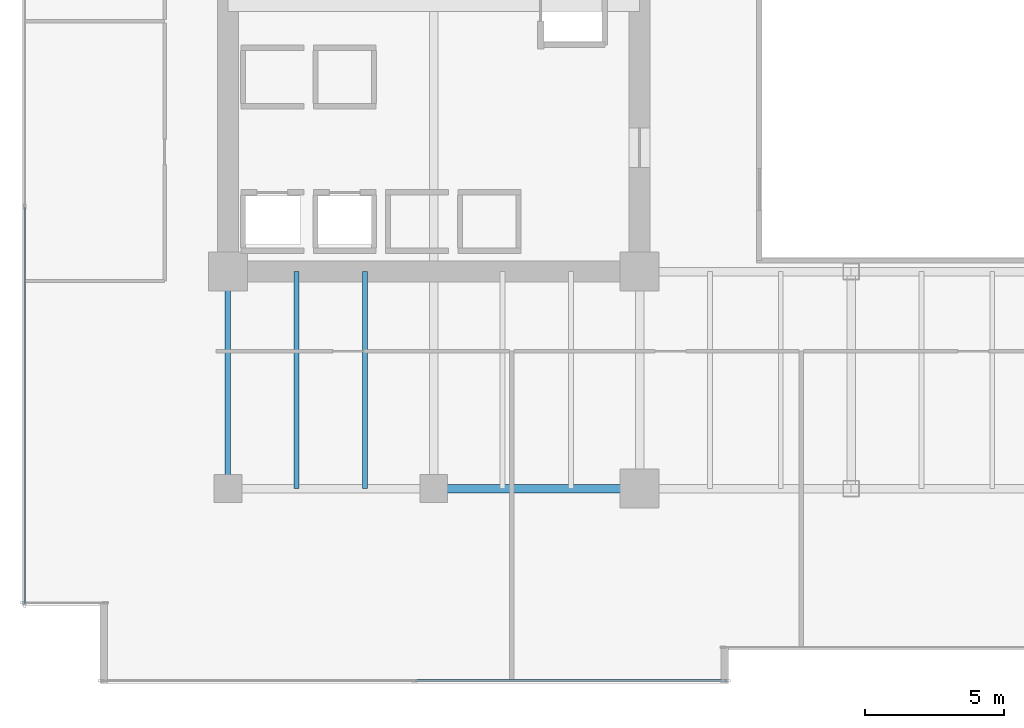
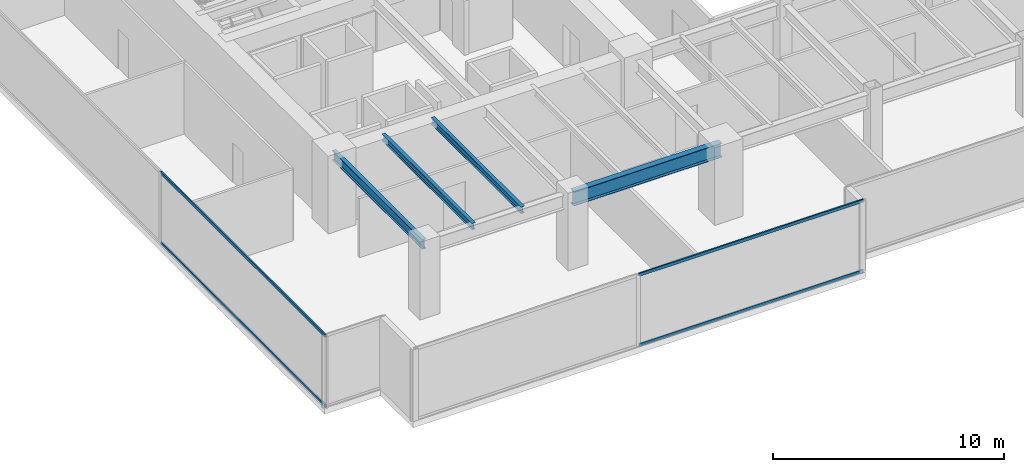
# One storey, part 3 of 35: 4 beams, 4 members, 2 elements without a shape of their own.
"""IFC4 building model written with IfcOpenShell, lengths in metres."""

from ifc_helpers import new_model, si_unit, direction, frame, origin, origin_2d, place, context, subcontext, project, spatial, hollow_rectangle, i_section, extrude, source, transform, mapped, material, layer, layer_set, material_profile, profile_set, type_object, type_shapes, element, aggregate, save


model = new_model("IFC4")

# Units and contexts
model_context = context("Model", 3, precision=1e-05, world=origin(), true_north=direction((0.0, 1.0)))
body_context = subcontext(model_context, "Body", "Model", "MODEL_VIEW")
ifc_project = project(units=[si_unit("LENGTHUNIT", "METRE"), si_unit("AREAUNIT", "SQUARE_METRE"), si_unit("VOLUMEUNIT", "CUBIC_METRE"), si_unit("PLANEANGLEUNIT", "RADIAN"), si_unit("MASSUNIT", "GRAM", prefix="KILO")], contexts=[model_context])

# Site, building, storey
site_placement = place(None, origin())
site = spatial("IfcSite", under=ifc_project, at=site_placement, CompositionType="ELEMENT")
building_placement = place(site_placement, origin())
building = spatial("IfcBuilding", under=site, at=building_placement, Name="Haelvirn Gate Laboratories", CompositionType="ELEMENT")
storey_placement = place(building_placement, frame((0.0, 0.0, 82.60009765625)))
storey = spatial("IfcBuildingStorey", under=building, at=storey_placement, Name="L20", CompositionType="ELEMENT", Elevation=82.60009765625)

# Beams
ifc_material_1 = material(Name="Steel SM355", Category="steel")
ifc_material_profile_1 = material_profile(ifc_material_1, i_section(OverallWidth=0.300048828125, OverallDepth=0.75, WebThickness=0.013916015625, FlangeThickness=0.02392578125, at=origin_2d()), Name="H-750x300x14x24")
ifc_profile_set_1 = profile_set([ifc_material_profile_1], Name="Steel SM355")
beam_type_1 = type_object("IfcBeamType", Name="BM-G-750", PredefinedType="BEAM", material=ifc_profile_set_1)
shared_shape_1 = source(origin(), body_context, "Body", "SweptSolid", [
    extrude(i_section(OverallWidth=0.300048828125, OverallDepth=0.75, WebThickness=0.013916015625, FlangeThickness=0.02392578125, at=origin_2d()), origin(), (0.0, 0.0, 1.0), 7.39990234375),
])
type_shapes(beam_type_1, [shared_shape_1])
beam_1_placement = place(storey_placement, frame((14.800048828125, 7.0, 3.40478515625), z_axis=(1.0, 0.0, 0.0), x_axis=(0.0, 1.0, 0.0)))
element("IfcBeam", 1, at=beam_1_placement, inside=storey, type_object=beam_type_1, Name="L20 Primary Girder Y7.0 (14.8-22.2)", PredefinedType="BEAM", context=body_context, shape_type="MappedRepresentation", body=[
    mapped(shared_shape_1, transform((0.0, 0.0, 0.0), scale=1.0)),
])
ifc_material_profile_2 = material_profile(ifc_material_1, i_section(OverallWidth=0.199951171875, OverallDepth=0.5, WebThickness=0.010009765625, FlangeThickness=0.01611328125, at=origin_2d()), Name="H-500x200x10x16")
ifc_profile_set_2 = profile_set([ifc_material_profile_2], Name="Steel SM355")
beam_type_2 = type_object("IfcBeamType", Name="BM-SP-500", PredefinedType="SPANDREL", material=ifc_profile_set_2)
shared_shape_2 = source(origin(), body_context, "Body", "SweptSolid", [
    extrude(i_section(OverallWidth=0.199951171875, OverallDepth=0.5, WebThickness=0.010009765625, FlangeThickness=0.01611328125, at=origin_2d()), origin(), (0.0, 0.0, 1.0), 7.800048828125),
])
type_shapes(beam_type_2, [shared_shape_2])
beam_2_placement = place(storey_placement, frame((7.39990234375, 7.0, 3.52978515625), z_axis=(0.0, 1.0, 0.0), x_axis=(-1.0, 0.0, 0.0)))
element("IfcBeam", 2, at=beam_2_placement, inside=storey, type_object=beam_type_2, Name="L20 Perimeter Spandrel X7.4 (7.0-14.8)", PredefinedType="SPANDREL", context=body_context, shape_type="MappedRepresentation", body=[
    mapped(shared_shape_2, transform((0.0, 0.0, 0.0), scale=1.0)),
])
ifc_material_profile_3 = material_profile(ifc_material_1, i_section(OverallWidth=0.175048828125, OverallDepth=0.35009765625, WebThickness=0.007080078125, FlangeThickness=0.010986328125, at=origin_2d()), Name="H-350x175x7x11")
ifc_profile_set_3 = profile_set([ifc_material_profile_3], Name="Steel SM355")
beam_type_3 = type_object("IfcBeamType", Name="BM-J-350", PredefinedType="JOIST", material=ifc_profile_set_3)
shared_shape_3 = source(origin(), body_context, "Body", "SweptSolid", [
    extrude(i_section(OverallWidth=0.175048828125, OverallDepth=0.35009765625, WebThickness=0.007080078125, FlangeThickness=0.010986328125, at=origin_2d()), origin(), (0.0, 0.0, 1.0), 7.800048828125),
])
type_shapes(beam_type_3, [shared_shape_3])
for number, where, z_axis, x_axis, name in (
    (3, (9.8701171875, 7.0, 3.60498046875), (0.0, 1.0, 0.0), (-1.0, 0.0, 0.0), "L20 Composite Lab Joist South X9.87"),
    (4, (12.330078125, 7.0, 3.60498046875), (0.0, 1.0, 0.0), (-1.0, 0.0, 0.0), "L20 Composite Lab Joist South X12.33"),
):
    element("IfcBeam", number, at=place(storey_placement, frame(where, z_axis=z_axis, x_axis=x_axis)), inside=storey, type_object=beam_type_3, Name=name, PredefinedType="JOIST", context=body_context, shape_type="MappedRepresentation", body=[
        mapped(shared_shape_3, transform((0.0, 0.0, 0.0), scale=1.0)),
    ])

# Curtain wall, members
ifc_material_2 = material(Name="Anodised bronze unitised aluminium & triple low-E glass", Category="aluminium")
ifc_layer = layer(ifc_material_2, 0.18408203125, Name="CW-SYS-2")
ifc_layer_set = layer_set([ifc_layer], Name="Anodised bronze unitised aluminium & triple low-E glass")
curtain_wall_type = type_object("IfcCurtainWallType", Name="CW-SYS-2", PredefinedType="NOTDEFINED", material=ifc_layer_set)
curtain_wall_1_placement = place(storey_placement, origin())
curtain_wall_1 = element("IfcCurtainWall", 5, at=curtain_wall_1_placement, inside=storey, type_object=curtain_wall_type, Name="L20 Unitised Curtain Wall CW-L20-P0-E00-1", PredefinedType="NOTDEFINED")
ifc_material_3 = material(Name="Extruded aluminium 6063-T6 (anodised bronze)", Category="aluminium")
ifc_material_profile_4 = material_profile(ifc_material_3, hollow_rectangle(XDim=0.070068359375, YDim=0.159912109375, WallThickness=0.0048828125, at=origin_2d()), Name="CWT-160x70x5")
ifc_profile_set_4 = profile_set([ifc_material_profile_4], Name="Extruded aluminium 6063-T6 (anodised bronze)")
member_type = type_object("IfcMemberType", Name="CWT-T160", PredefinedType="USERDEFINED", material=ifc_profile_set_4)
shared_shape_4 = source(origin(), body_context, "Body", "SweptSolid", [
    extrude(hollow_rectangle(XDim=0.070068359375, YDim=0.159912109375, WallThickness=0.0048828125, at=origin_2d()), origin(), (0.0, 0.0, 1.0), 11.1875),
])
member_1_placement = place(storey_placement, frame((14.137451171875, 0.10009765625, 0.034912109375), z_axis=(1.0, 0.0, 0.0), x_axis=(0.0, 1.0, 0.0)))
member_1 = element("IfcMember", 6, at=member_1_placement, type_object=member_type, Name="CW2 transom 2.1", ObjectType="TRANSOM", PredefinedType="USERDEFINED", context=body_context, shape_type="MappedRepresentation", body=[
    mapped(shared_shape_4, transform((0.0, 0.0, 0.0), scale=1.0)),
])
member_2_placement = place(storey_placement, frame((14.137451171875, 0.10009765625, 3.744873046875), z_axis=(1.0, 0.0, 0.0), x_axis=(0.0, 1.0, 0.0)))
member_2 = element("IfcMember", 7, at=member_2_placement, type_object=member_type, Name="CW2 transom 2.2", ObjectType="TRANSOM", PredefinedType="USERDEFINED", context=body_context, shape_type="MappedRepresentation", body=[
    mapped(shared_shape_4, transform((0.0, 0.0, 0.0), scale=1.0)),
])
aggregate(curtain_wall_1, [member_1, member_2])

curtain_wall_2_placement = place(storey_placement, origin())
curtain_wall_2 = element("IfcCurtainWall", 8, at=curtain_wall_2_placement, inside=storey, type_object=curtain_wall_type, Name="L20 Unitised Curtain Wall CW-L20-P0-E17", PredefinedType="NOTDEFINED")
shared_shape_5 = source(origin(), body_context, "Body", "SweptSolid", [
    extrude(hollow_rectangle(XDim=0.070068359375, YDim=0.159912109375, WallThickness=0.0048828125, at=origin_2d()), origin(), (0.0, 0.0, 1.0), 14.220947265625),
])
type_shapes(member_type, [shared_shape_4, shared_shape_5])
member_3_placement = place(storey_placement, frame((0.10009765625, 17.095947265625, 0.034912109375), z_axis=(0.0, -1.0, 0.0), x_axis=(1.0, 0.0, 0.0)))
member_3 = element("IfcMember", 9, at=member_3_placement, type_object=member_type, Name="CW2 transom 3.1", ObjectType="TRANSOM", PredefinedType="USERDEFINED", context=body_context, shape_type="MappedRepresentation", body=[
    mapped(shared_shape_5, transform((0.0, 0.0, 0.0), scale=1.0)),
])
member_4_placement = place(storey_placement, frame((0.10009765625, 17.095947265625, 3.744873046875), z_axis=(0.0, -1.0, 0.0), x_axis=(1.0, 0.0, 0.0)))
member_4 = element("IfcMember", 10, at=member_4_placement, type_object=member_type, Name="CW2 transom 3.2", ObjectType="TRANSOM", PredefinedType="USERDEFINED", context=body_context, shape_type="MappedRepresentation", body=[
    mapped(shared_shape_5, transform((0.0, 0.0, 0.0), scale=1.0)),
])
aggregate(curtain_wall_2, [member_3, member_4])

save(model, "model.ifc")
